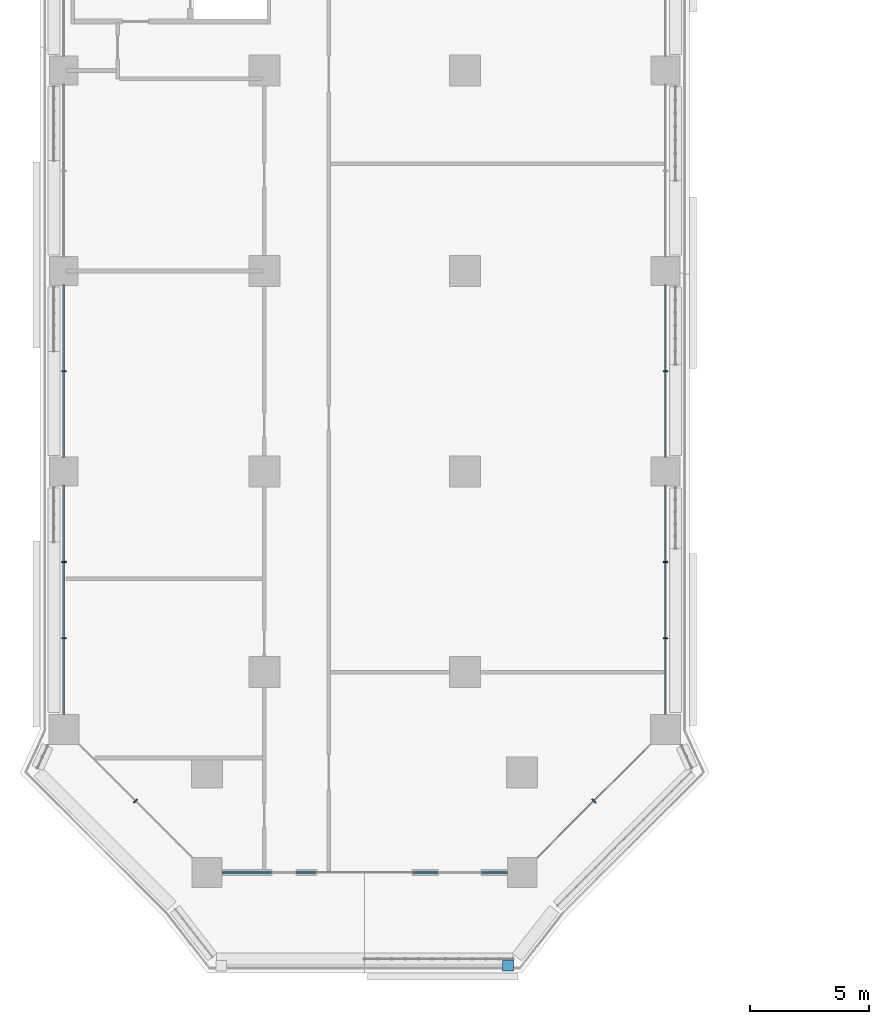
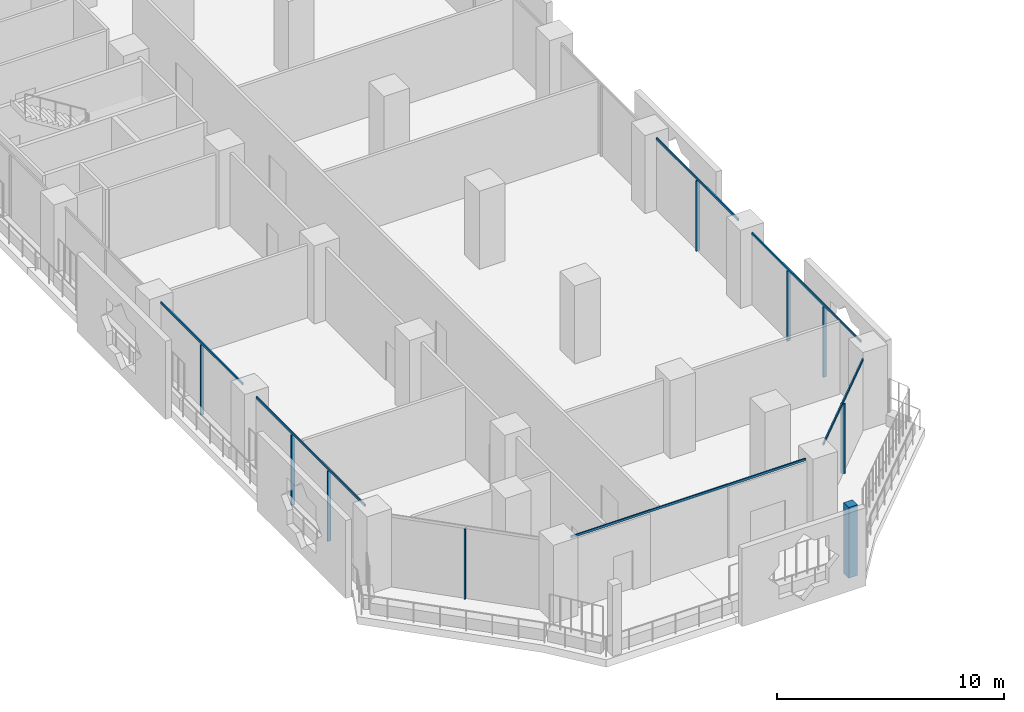
# One storey, part 2 of 27: 15 members, 6 elements without a shape of their own.
"""IFC4 building model written with IfcOpenShell, lengths in metres."""

from ifc_helpers import new_model, si_unit, direction, frame, origin, origin_2d, place, context, subcontext, project, spatial, rectangle, extrude, material, layer, layer_set, material_profile, profile_set, type_object, element, aggregate, save


model = new_model("IFC4")

# Units and contexts
model_context = context("Model", 3, precision=1e-05, world=origin(), true_north=direction((0.0, 1.0)))
body_context = subcontext(model_context, "Body", "Model", "MODEL_VIEW")
ifc_project = project(units=[si_unit("LENGTHUNIT", "METRE"), si_unit("AREAUNIT", "SQUARE_METRE"), si_unit("VOLUMEUNIT", "CUBIC_METRE"), si_unit("PLANEANGLEUNIT", "RADIAN"), si_unit("MASSUNIT", "GRAM", prefix="KILO")], contexts=[model_context])

# Site, building, storey
site_placement = place(None, origin())
site = spatial("IfcSite", under=ifc_project, at=site_placement, CompositionType="ELEMENT")
building_placement = place(site_placement, origin())
building = spatial("IfcBuilding", under=site, at=building_placement, Name="Kawkab Arch Medical Tower", CompositionType="ELEMENT")
storey_placement = place(building_placement, frame((0.0, 0.0, 39.199951171875)))
storey = spatial("IfcBuildingStorey", under=building, at=storey_placement, Name="L08", CompositionType="ELEMENT", Elevation=39.199951171875)

# Curtain wall, members
ifc_material_1 = material(Name="Bronze anodised aluminium curtain wall frame", Category="aluminium")
ifc_layer_1 = layer(ifc_material_1, 0.159912109375)
ifc_layer_set_1 = layer_set([ifc_layer_1], Name="Bronze anodised aluminium curtain wall frame")
curtain_wall_type_1 = type_object("IfcCurtainWallType", Name="CW1 ward curtain wall", PredefinedType="NOTDEFINED", material=ifc_layer_set_1)
placement = place(storey_placement, origin())
curtain_wall_1 = element("IfcCurtainWall", 1, at=placement, inside=storey, type_object=curtain_wall_type_1, Name="CW1 Ward curtain wall R11", PredefinedType="NOTDEFINED")
ifc_material_2 = material(Name="Bronze anodised aluminium curtain wall frame", Category="aluminium")
ifc_material_profile_1 = material_profile(ifc_material_2, rectangle(XDim=0.179931640625, YDim=0.06005859375, at=origin_2d()), Name="AL 60x180")
ifc_profile_set_1 = profile_set([ifc_material_profile_1], Name="Bronze anodised aluminium curtain wall frame")
member_type_1 = type_object("IfcMemberType", Name="CW1 mullion 60 x 180", PredefinedType="MULLION", material=ifc_profile_set_1)
member_1_placement = place(storey_placement, frame((0.0, -54.60009765625, 0.0), z_axis=(0.0, 0.0, 1.0), x_axis=(1.0, 0.0, 0.0)))
member_1 = element("IfcMember", 2, at=member_1_placement, type_object=member_type_1, Name="CW1 mullion 6.1", PredefinedType="MULLION", context=body_context, shape_type="SweptSolid", body=[
    extrude(rectangle(XDim=0.179931640625, YDim=0.06005859375, at=origin_2d()), origin(), (0.0, 0.0, 1.0), 3.780029296875),
])
member_2_placement = place(storey_placement, frame((0.0, -62.591552734375, 0.0), z_axis=(0.0, 0.0, 1.0), x_axis=(1.0, 0.0, 0.0)))
member_2 = element("IfcMember", 3, at=member_2_placement, type_object=member_type_1, Name="CW1 mullion 7.1", PredefinedType="MULLION", context=body_context, shape_type="SweptSolid", body=[
    extrude(rectangle(XDim=0.179931640625, YDim=0.06005859375, at=origin_2d()), origin(), (0.0, 0.0, 1.0), 3.780029296875),
])
member_3_placement = place(storey_placement, frame((0.0, -65.783447265625, 0.0), z_axis=(0.0, 0.0, 1.0), x_axis=(1.0, 0.0, 0.0)))
member_3 = element("IfcMember", 4, at=member_3_placement, type_object=member_type_1, Name="CW1 mullion 7.2", PredefinedType="MULLION", context=body_context, shape_type="SweptSolid", body=[
    extrude(rectangle(XDim=0.179931640625, YDim=0.06005859375, at=origin_2d()), origin(), (0.0, 0.0, 1.0), 3.780029296875),
])

curtain_wall_2 = element("IfcCurtainWall", 5, at=placement, inside=storey, type_object=curtain_wall_type_1, Name="CW1 Ward curtain wall R15", PredefinedType="NOTDEFINED")
member_4_placement = place(storey_placement, frame((25.199951171875, -65.783447265625, 0.0), z_axis=(0.0, 0.0, 1.0), x_axis=(-1.0, 0.0, 0.0)))
member_4 = element("IfcMember", 6, at=member_4_placement, type_object=member_type_1, Name="CW1 mullion 1.1", PredefinedType="MULLION", context=body_context, shape_type="SweptSolid", body=[
    extrude(rectangle(XDim=0.179931640625, YDim=0.06005859375, at=origin_2d()), origin(), (0.0, 0.0, 1.0), 3.780029296875),
])
member_5_placement = place(storey_placement, frame((25.199951171875, -62.591552734375, 0.0), z_axis=(0.0, 0.0, 1.0), x_axis=(-1.0, 0.0, 0.0)))
member_5 = element("IfcMember", 7, at=member_5_placement, type_object=member_type_1, Name="CW1 mullion 1.2", PredefinedType="MULLION", context=body_context, shape_type="SweptSolid", body=[
    extrude(rectangle(XDim=0.179931640625, YDim=0.06005859375, at=origin_2d()), origin(), (0.0, 0.0, 1.0), 3.780029296875),
])
member_6_placement = place(storey_placement, frame((25.199951171875, -54.60009765625, 0.0), z_axis=(0.0, 0.0, 1.0), x_axis=(-1.0, 0.0, 0.0)))
member_6 = element("IfcMember", 8, at=member_6_placement, type_object=member_type_1, Name="CW1 mullion 2.1", PredefinedType="MULLION", context=body_context, shape_type="SweptSolid", body=[
    extrude(rectangle(XDim=0.179931640625, YDim=0.06005859375, at=origin_2d()), origin(), (0.0, 0.0, 1.0), 3.780029296875),
])

# Member
ifc_material_3 = material(Name="Bronze anodised aluminium curtain wall frame", Category="aluminium")
ifc_material_profile_2 = material_profile(ifc_material_3, rectangle(XDim=0.06005859375, YDim=0.1201171875, at=origin_2d()), Name="AL 60x120")
ifc_profile_set_2 = profile_set([ifc_material_profile_2], Name="Bronze anodised aluminium curtain wall frame")
member_type_2 = type_object("IfcMemberType", Name="CW1 transom 120 x 60", PredefinedType="USERDEFINED", material=ifc_profile_set_2)
member_7_placement = place(storey_placement, frame((0.0, -51.0, 3.840087890625), z_axis=(0.0, -1.0, 0.0), x_axis=(1.0, 0.0, 0.0)))
member_7 = element("IfcMember", 9, at=member_7_placement, type_object=member_type_2, Name="CW1 transom 6", ObjectType="TRANSOM", PredefinedType="USERDEFINED", context=body_context, shape_type="SweptSolid", body=[
    extrude(rectangle(XDim=0.06005859375, YDim=0.1201171875, at=origin_2d()), origin(), (0.0, 0.0, 1.0), 7.199951171875),
])

member_8_placement = place(storey_placement, frame((0.0, -59.39990234375, 3.840087890625), z_axis=(0.0, -1.0, 0.0), x_axis=(1.0, 0.0, 0.0)))
member_8 = element("IfcMember", 10, at=member_8_placement, type_object=member_type_2, Name="CW1 transom 7", ObjectType="TRANSOM", PredefinedType="USERDEFINED", context=body_context, shape_type="SweptSolid", body=[
    extrude(rectangle(XDim=0.06005859375, YDim=0.1201171875, at=origin_2d()), origin(), (0.0, 0.0, 1.0), 9.5751953125),
])

aggregate(curtain_wall_1, [member_7, member_1, member_8, member_2, member_3])

# Curtain wall, member
curtain_wall_3 = element("IfcCurtainWall", 11, at=placement, inside=storey, type_object=curtain_wall_type_1, Name="CW1 Ward curtain wall R13", PredefinedType="NOTDEFINED")
member_9_placement = place(storey_placement, frame((6.625, -75.60009765625, 3.840087890625), z_axis=(1.0, 0.0, 0.0), x_axis=(0.0, 1.0, 0.0)))
member_9 = element("IfcMember", 12, at=member_9_placement, type_object=member_type_2, Name="CW1 transom 1", ObjectType="TRANSOM", PredefinedType="USERDEFINED", context=body_context, shape_type="SweptSolid", body=[
    extrude(rectangle(XDim=0.06005859375, YDim=0.1201171875, at=origin_2d()), origin(), (0.0, 0.0, 1.0), 11.949951171875),
])
aggregate(curtain_wall_3, [member_9])

# Member
member_10_placement = place(storey_placement, frame((25.199951171875, -68.97509765625, 3.840087890625), z_axis=(0.0, 1.0, 0.0), x_axis=(-1.0, 0.0, 0.0)))
member_10 = element("IfcMember", 13, at=member_10_placement, type_object=member_type_2, Name="CW1 transom 1", ObjectType="TRANSOM", PredefinedType="USERDEFINED", context=body_context, shape_type="SweptSolid", body=[
    extrude(rectangle(XDim=0.06005859375, YDim=0.1201171875, at=origin_2d()), origin(), (0.0, 0.0, 1.0), 9.5751953125),
])

member_11_placement = place(storey_placement, frame((25.199951171875, -58.199951171875, 3.840087890625), z_axis=(0.0, 1.0, 0.0), x_axis=(-1.0, 0.0, 0.0)))
member_11 = element("IfcMember", 14, at=member_11_placement, type_object=member_type_2, Name="CW1 transom 2", ObjectType="TRANSOM", PredefinedType="USERDEFINED", context=body_context, shape_type="SweptSolid", body=[
    extrude(rectangle(XDim=0.06005859375, YDim=0.1201171875, at=origin_2d()), origin(), (0.0, 0.0, 1.0), 7.199951171875),
])

aggregate(curtain_wall_2, [member_10, member_4, member_5, member_11, member_6])

# Curtain wall, member
ifc_material_4 = material(Name="Bronze anodised aluminium curtain wall frame", Category="aluminium")
ifc_layer_2 = layer(ifc_material_4, 0.159912109375)
ifc_layer_set_2 = layer_set([ifc_layer_2], Name="Bronze anodised aluminium curtain wall frame")
curtain_wall_type_2 = type_object("IfcCurtainWallType", Name="CW2 chamfer curtain wall", PredefinedType="NOTDEFINED", material=ifc_layer_set_2)
curtain_wall_4 = element("IfcCurtainWall", 15, at=placement, inside=storey, type_object=curtain_wall_type_2, Name="CW2 Chamfer curtain wall R12", PredefinedType="NOTDEFINED")
ifc_material_5 = material(Name="Bronze anodised aluminium curtain wall frame", Category="aluminium")
ifc_material_profile_3 = material_profile(ifc_material_5, rectangle(XDim=0.199951171875, YDim=0.06005859375, at=origin_2d()), Name="AL 60x200")
ifc_profile_set_3 = profile_set([ifc_material_profile_3], Name="Bronze anodised aluminium curtain wall frame")
member_type_3 = type_object("IfcMemberType", Name="CW2 mullion 60 x 200", PredefinedType="MULLION", material=ifc_profile_set_3)
member_12_placement = place(storey_placement, frame((3.0, -72.60009765625, 0.0), z_axis=(0.0, 0.0, 1.0), x_axis=(0.707106781187, 0.707106781187, 0.0)))
member_12 = element("IfcMember", 16, at=member_12_placement, type_object=member_type_3, Name="CW2 mullion 1.1", PredefinedType="MULLION", context=body_context, shape_type="SweptSolid", body=[
    extrude(rectangle(XDim=0.199951171875, YDim=0.06005859375, at=origin_2d()), origin(), (0.0, 0.0, 1.0), 3.760009765625),
])
aggregate(curtain_wall_4, [member_12])

# Curtain wall, members
curtain_wall_5 = element("IfcCurtainWall", 17, at=placement, inside=storey, type_object=curtain_wall_type_2, Name="CW2 Chamfer curtain wall R14", PredefinedType="NOTDEFINED")
member_13_placement = place(storey_placement, frame((22.199951171875, -72.60009765625, 0.0), z_axis=(0.0, 0.0, 1.0), x_axis=(-0.707106781187, 0.707106781187, 0.0)))
member_13 = element("IfcMember", 18, at=member_13_placement, type_object=member_type_3, Name="CW2 mullion 1.1", PredefinedType="MULLION", context=body_context, shape_type="SweptSolid", body=[
    extrude(rectangle(XDim=0.199951171875, YDim=0.06005859375, at=origin_2d()), origin(), (0.0, 0.0, 1.0), 3.760009765625),
])
ifc_material_6 = material(Name="Bronze anodised aluminium curtain wall frame", Category="aluminium")
ifc_material_profile_4 = material_profile(ifc_material_6, rectangle(XDim=0.06005859375, YDim=0.139892578125, at=origin_2d()), Name="AL 60x140")
ifc_profile_set_4 = profile_set([ifc_material_profile_4], Name="Bronze anodised aluminium curtain wall frame")
member_type_4 = type_object("IfcMemberType", Name="CW2 transom 140 x 60", PredefinedType="USERDEFINED", material=ifc_profile_set_4)
member_14_placement = place(storey_placement, frame((19.824951171875, -74.97509765625, 3.830078125), z_axis=(0.707106781187, 0.707106781187, 0.0), x_axis=(-0.707106781187, 0.707106781187, 0.0)))
member_14 = element("IfcMember", 19, at=member_14_placement, type_object=member_type_4, Name="CW2 transom 1", ObjectType="TRANSOM", PredefinedType="USERDEFINED", context=body_context, shape_type="SweptSolid", body=[
    extrude(rectangle(XDim=0.06005859375, YDim=0.139892578125, at=origin_2d()), origin(), (0.0, 0.0, 1.0), 6.717529296875),
])
aggregate(curtain_wall_5, [member_14, member_13])

# Curtain wall, member
ifc_material_7 = material(Name="Bronze anodised aluminium climber frame, planted", Category="aluminium")
ifc_layer_3 = layer(ifc_material_7, 0.449951171875)
ifc_layer_set_3 = layer_set([ifc_layer_3], Name="Bronze anodised aluminium climber frame, planted")
curtain_wall_type_3 = type_object("IfcCurtainWallType", Name="Planted climber frame", PredefinedType="NOTDEFINED", material=ifc_layer_set_3)
curtain_wall_6 = element("IfcCurtainWall", 20, at=placement, inside=storey, type_object=curtain_wall_type_3, Name="Planted climber frame L08", PredefinedType="NOTDEFINED")
ifc_material_8 = material(Name="Bronze anodised aluminium climber frame, planted", Category="aluminium")
ifc_material_profile_5 = material_profile(ifc_material_8, rectangle(XDim=0.449951171875, YDim=0.449951171875, at=origin_2d()), Name="Post 450x450")
ifc_profile_set_5 = profile_set([ifc_material_profile_5], Name="Bronze anodised aluminium climber frame, planted")
member_type_5 = type_object("IfcMemberType", Name="Planted climber post 450 x 450", PredefinedType="MULLION", material=ifc_profile_set_5)
member_15_placement = place(storey_placement, frame((18.60302734375, -79.5, 0.0), z_axis=(0.0, 0.0, 1.0), x_axis=(1.0, 0.0, 0.0)))
member_15 = element("IfcMember", 21, at=member_15_placement, type_object=member_type_5, Name="Planted climber post L08.LOG-01-01.1", PredefinedType="MULLION", context=body_context, shape_type="SweptSolid", body=[
    extrude(rectangle(XDim=0.449951171875, YDim=0.449951171875, at=origin_2d()), origin(), (0.0, 0.0, 1.0), 3.800048828125),
])
aggregate(curtain_wall_6, [member_15])

save(model, "model.ifc")
